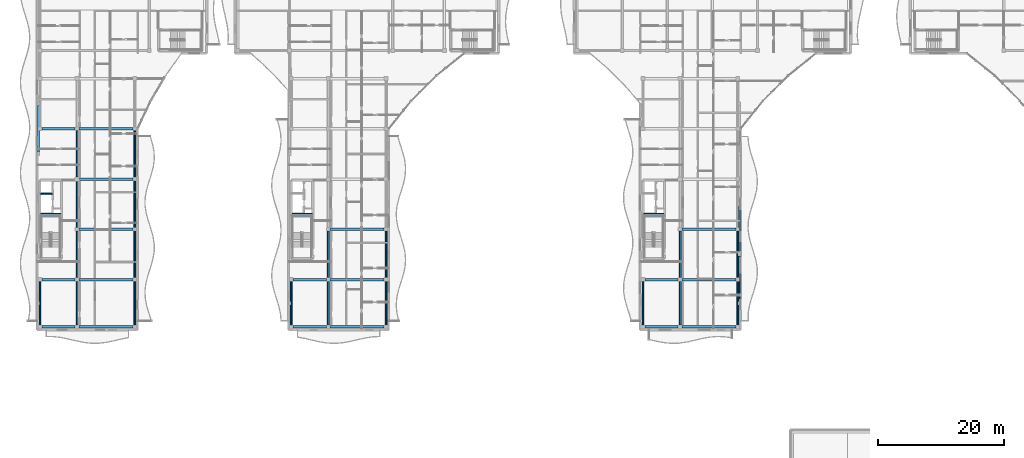
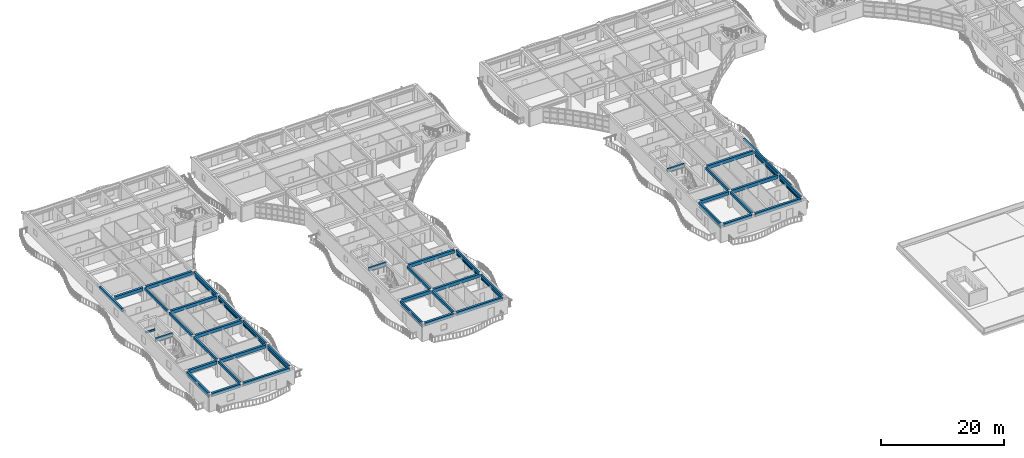
# One storey, part 5 of 79: 44 beams, 22 members.
"""IFC4 building model written with IfcOpenShell, lengths in metres."""

from ifc_helpers import new_model, si_unit, direction, frame, origin, origin_2d, place, context, subcontext, project, spatial, rectangle, hollow_rectangle, extrude, material, material_profile, profile_set, type_object, element, save


model = new_model("IFC4")

# Units and contexts
model_context = context("Model", 3, precision=1e-05, world=origin(), true_north=direction((0.0, 1.0)))
body_context = subcontext(model_context, "Body", "Model", "MODEL_VIEW")
ifc_project = project(units=[si_unit("LENGTHUNIT", "METRE"), si_unit("AREAUNIT", "SQUARE_METRE"), si_unit("VOLUMEUNIT", "CUBIC_METRE"), si_unit("PLANEANGLEUNIT", "RADIAN"), si_unit("MASSUNIT", "GRAM", prefix="KILO")], contexts=[model_context])

# Site, building, storey
site_placement = place(None, origin())
site = spatial("IfcSite", under=ifc_project, at=site_placement, CompositionType="ELEMENT")
building_placement = place(site_placement, origin())
building = spatial("IfcBuilding", under=site, at=building_placement, Name="Keldmere Railside Commons", CompositionType="ELEMENT")
storey_placement = place(building_placement, frame((0.0, 0.0, 10.56005859375)))
storey = spatial("IfcBuildingStorey", under=building, at=storey_placement, Name="L03", CompositionType="ELEMENT", Elevation=10.56005859375)

# Members
ifc_material_1 = material(Name="Steel F-36 (S355)", Category="steel")
ifc_material_profile_1 = material_profile(ifc_material_1, hollow_rectangle(XDim=0.14990234375, YDim=0.25, WallThickness=0.010009765625, at=origin_2d()), Name="RHS-250x150x10")
ifc_profile_set_1 = profile_set([ifc_material_profile_1], Name="Steel F-36 (S355)")
member_type_1 = type_object("IfcMemberType", Name="Balcony Continuous Planted Trough RHS250x150", PredefinedType="CHORD", material=ifc_profile_set_1)
for number, where, z_axis, x_axis, name in (
    (1, (8.449951171875, 56.75, 2.4150390625), (0.0, 1.0, 0.0), (-1.0, 0.0, 0.0), "PLT-1 MEM-BPLT-0335"),
    (2, (23.550048828125, 56.75, 2.4150390625), (0.0, 1.0, 0.0), (-1.0, 0.0, 0.0), "PLT-1 MEM-BPLT-0345"),
):
    element("IfcMember", number, at=place(storey_placement, frame(where, z_axis=z_axis, x_axis=x_axis)), inside=storey, type_object=member_type_1, Name=name, PredefinedType="CHORD", context=body_context, shape_type="SweptSolid", body=[
        extrude(hollow_rectangle(XDim=0.14990234375, YDim=0.25, WallThickness=0.010009765625, at=origin_2d()), origin(), (0.0, 0.0, 1.0), 6.949951171875),
    ])
for number, where, z_axis, x_axis, name in (
    (3, (23.550048828125, 64.300048828125, 2.4150390625), (0.0, 1.0, 0.0), (-1.0, 0.0, 0.0), "PLT-1 MEM-BPLT-0347"),
    (4, (23.550048828125, 72.300048828125, 2.4150390625), (0.0, 1.0, 0.0), (-1.0, 0.0, 0.0), "PLT-1 MEM-BPLT-0349"),
    (5, (23.550048828125, 80.300048828125, 2.4150390625), (0.0, 1.0, 0.0), (-1.0, 0.0, 0.0), "PLT-1 MEM-BPLT-0351"),
):
    element("IfcMember", number, at=place(storey_placement, frame(where, z_axis=z_axis, x_axis=x_axis)), inside=storey, type_object=member_type_1, Name=name, PredefinedType="CHORD", context=body_context, shape_type="SweptSolid", body=[
        extrude(hollow_rectangle(XDim=0.14990234375, YDim=0.25, WallThickness=0.010009765625, at=origin_2d()), origin(), (0.0, 0.0, 1.0), 7.39990234375),
    ])
for number, where, z_axis, x_axis, name in (
    (6, (48.449951171875, 56.75, 2.4150390625), (0.0, 1.0, 0.0), (-1.0, 0.0, 0.0), "PLT-1 MEM-BPLT-0369"),
    (7, (63.550048828125, 56.75, 2.4150390625), (0.0, 1.0, 0.0), (-1.0, 0.0, 0.0), "PLT-1 MEM-BPLT-0379"),
):
    element("IfcMember", number, at=place(storey_placement, frame(where, z_axis=z_axis, x_axis=x_axis)), inside=storey, type_object=member_type_1, Name=name, PredefinedType="CHORD", context=body_context, shape_type="SweptSolid", body=[
        extrude(hollow_rectangle(XDim=0.14990234375, YDim=0.25, WallThickness=0.010009765625, at=origin_2d()), origin(), (0.0, 0.0, 1.0), 6.949951171875),
    ])
member_1_placement = place(storey_placement, frame((63.550048828125, 64.300048828125, 2.4150390625), z_axis=(0.0, 1.0, 0.0), x_axis=(-1.0, 0.0, 0.0)))
element("IfcMember", 8, at=member_1_placement, inside=storey, type_object=member_type_1, Name="PLT-1 MEM-BPLT-0381", PredefinedType="CHORD", context=body_context, shape_type="SweptSolid", body=[
    extrude(hollow_rectangle(XDim=0.14990234375, YDim=0.25, WallThickness=0.010009765625, at=origin_2d()), origin(), (0.0, 0.0, 1.0), 7.39990234375),
])
for number, where, z_axis, x_axis, name in (
    (9, (104.449951171875, 56.75, 2.4150390625), (0.0, 1.0, 0.0), (-1.0, 0.0, 0.0), "PLT-1 MEM-BPLT-0403"),
    (10, (119.550048828125, 56.75, 2.4150390625), (0.0, 1.0, 0.0), (-1.0, 0.0, 0.0), "PLT-1 MEM-BPLT-0407"),
):
    element("IfcMember", number, at=place(storey_placement, frame(where, z_axis=z_axis, x_axis=x_axis)), inside=storey, type_object=member_type_1, Name=name, PredefinedType="CHORD", context=body_context, shape_type="SweptSolid", body=[
        extrude(hollow_rectangle(XDim=0.14990234375, YDim=0.25, WallThickness=0.010009765625, at=origin_2d()), origin(), (0.0, 0.0, 1.0), 6.949951171875),
    ])
member_2_placement = place(storey_placement, frame((119.550048828125, 64.300048828125, 2.4150390625), z_axis=(0.0, 1.0, 0.0), x_axis=(-1.0, 0.0, 0.0)))
element("IfcMember", 11, at=member_2_placement, inside=storey, type_object=member_type_1, Name="PLT-1 MEM-BPLT-0409", PredefinedType="CHORD", context=body_context, shape_type="SweptSolid", body=[
    extrude(hollow_rectangle(XDim=0.14990234375, YDim=0.25, WallThickness=0.010009765625, at=origin_2d()), origin(), (0.0, 0.0, 1.0), 7.39990234375),
])

# Beams
ifc_material_2 = material(Name="Concrete H-35 (C35/45)", Category="concrete")
ifc_material_profile_2 = material_profile(ifc_material_2, rectangle(XDim=0.300048828125, YDim=0.64990234375, at=origin_2d()), Name="RC-300x650")
ifc_profile_set_2 = profile_set([ifc_material_profile_2], Name="Concrete H-35 (C35/45)")
beam_type_1 = type_object("IfcBeamType", Name="Core Coupling RC Beam 300x650", PredefinedType="BEAM", material=ifc_profile_set_2)
for number, where, z_axis, x_axis, name in (
    (12, (8.590087890625, 74.39990234375, 2.875), (1.0, 0.0, 0.0), (0.0, 1.0, 0.0), "CB-1 BM-L03-2545"),
    (13, (48.590087890625, 74.39990234375, 2.875), (1.0, 0.0, 0.0), (0.0, 1.0, 0.0), "CB-1 BM-L03-2553"),
    (14, (104.590087890625, 74.39990234375, 2.875), (1.0, 0.0, 0.0), (0.0, 1.0, 0.0), "CB-1 BM-L03-2561"),
):
    element("IfcBeam", number, at=place(storey_placement, frame(where, z_axis=z_axis, x_axis=x_axis)), inside=storey, type_object=beam_type_1, Name=name, PredefinedType="BEAM", context=body_context, shape_type="SweptSolid", body=[
        extrude(rectangle(XDim=0.300048828125, YDim=0.64990234375, at=origin_2d()), origin(), (0.0, 0.0, 1.0), 3.18994140625),
    ])
ifc_material_3 = material(Name="Concrete H-30 (C30/37)", Category="concrete")
ifc_material_profile_3 = material_profile(ifc_material_3, rectangle(XDim=0.25, YDim=0.35009765625, at=origin_2d()), Name="RC-250x350")
ifc_profile_set_3 = profile_set([ifc_material_profile_3], Name="Concrete H-30 (C30/37)")
beam_type_2 = type_object("IfcBeamType", Name="Masonry Opening RC Lintel 250x350", PredefinedType="LINTEL", material=ifc_profile_set_3)
beam_1_placement = place(storey_placement, frame((8.590087890625, 77.60009765625, 2.425048828125), z_axis=(1.0, 0.0, 0.0), x_axis=(0.0, 1.0, 0.0)))
element("IfcBeam", 15, at=beam_1_placement, inside=storey, type_object=beam_type_2, Name="LNT-1 BM-L03-2546", PredefinedType="LINTEL", context=body_context, shape_type="SweptSolid", body=[
    extrude(rectangle(XDim=0.25, YDim=0.35009765625, at=origin_2d()), origin(), (0.0, 0.0, 1.0), 1.809814453125),
])
ifc_material_profile_4 = material_profile(ifc_material_3, rectangle(XDim=0.35009765625, YDim=0.60009765625, at=origin_2d()), Name="RC-350x600")
ifc_profile_set_4 = profile_set([ifc_material_profile_4], Name="Concrete H-30 (C30/37)")
beam_type_3 = type_object("IfcBeamType", Name="Residential Chord RC Beam 350x600", PredefinedType="BEAM", material=ifc_profile_set_4)
beam_2_placement = place(storey_placement, frame((8.219970703125, 84.27490234375, 2.89990234375), z_axis=(0.0, 1.0, 0.0), x_axis=(-1.0, 0.0, 0.0)))
element("IfcBeam", 16, at=beam_2_placement, inside=storey, type_object=beam_type_3, Name="BG-4 BM-L03-1417", PredefinedType="BEAM", context=body_context, shape_type="SweptSolid", body=[
    extrude(rectangle(XDim=0.35009765625, YDim=0.60009765625, at=origin_2d()), origin(), (0.0, 0.0, 1.0), 7.4501953125),
])
beam_3_placement = place(storey_placement, frame((8.449951171875, 56.75, 2.89990234375), z_axis=(0.0, 1.0, 0.0), x_axis=(-1.0, 0.0, 0.0)))
element("IfcBeam", 17, at=beam_3_placement, inside=storey, type_object=beam_type_3, Name="BG-4 BM-L03-1418", PredefinedType="BEAM", context=body_context, shape_type="SweptSolid", body=[
    extrude(rectangle(XDim=0.35009765625, YDim=0.60009765625, at=origin_2d()), origin(), (0.0, 0.0, 1.0), 6.949951171875),
])
ifc_material_profile_5 = material_profile(ifc_material_3, rectangle(XDim=0.39990234375, YDim=0.64990234375, at=origin_2d()), Name="RC-400x650")
ifc_profile_set_5 = profile_set([ifc_material_profile_5], Name="Concrete H-30 (C30/37)")
beam_type_4 = type_object("IfcBeamType", Name="Residential Spine RC Girder 400x650", PredefinedType="BEAM", material=ifc_profile_set_5)
beam_4_placement = place(storey_placement, frame((8.75, 56.449951171875, 2.875), z_axis=(1.0, 0.0, 0.0), x_axis=(0.0, 1.0, 0.0)))
element("IfcBeam", 18, at=beam_4_placement, inside=storey, type_object=beam_type_4, Name="BG-3 BM-L03-1329", PredefinedType="BEAM", context=body_context, shape_type="SweptSolid", body=[
    extrude(rectangle(XDim=0.39990234375, YDim=0.64990234375, at=origin_2d()), origin(), (0.0, 0.0, 1.0), 5.300048828125),
])
beam_5_placement = place(storey_placement, frame((14.64990234375, 56.449951171875, 2.875), z_axis=(1.0, 0.0, 0.0), x_axis=(0.0, 1.0, 0.0)))
element("IfcBeam", 19, at=beam_5_placement, inside=storey, type_object=beam_type_4, Name="BG-3 BM-L03-1330", PredefinedType="BEAM", context=body_context, shape_type="SweptSolid", body=[
    extrude(rectangle(XDim=0.39990234375, YDim=0.64990234375, at=origin_2d()), origin(), (0.0, 0.0, 1.0), 8.60009765625),
])
beam_6_placement = place(storey_placement, frame((48.75, 56.449951171875, 2.875), z_axis=(1.0, 0.0, 0.0), x_axis=(0.0, 1.0, 0.0)))
element("IfcBeam", 20, at=beam_6_placement, inside=storey, type_object=beam_type_4, Name="BG-3 BM-L03-1331", PredefinedType="BEAM", context=body_context, shape_type="SweptSolid", body=[
    extrude(rectangle(XDim=0.39990234375, YDim=0.64990234375, at=origin_2d()), origin(), (0.0, 0.0, 1.0), 5.300048828125),
])
beam_7_placement = place(storey_placement, frame((54.64990234375, 56.449951171875, 2.875), z_axis=(1.0, 0.0, 0.0), x_axis=(0.0, 1.0, 0.0)))
element("IfcBeam", 21, at=beam_7_placement, inside=storey, type_object=beam_type_4, Name="BG-3 BM-L03-1332", PredefinedType="BEAM", context=body_context, shape_type="SweptSolid", body=[
    extrude(rectangle(XDim=0.39990234375, YDim=0.64990234375, at=origin_2d()), origin(), (0.0, 0.0, 1.0), 8.60009765625),
])
beam_8_placement = place(storey_placement, frame((104.75, 56.449951171875, 2.875), z_axis=(1.0, 0.0, 0.0), x_axis=(0.0, 1.0, 0.0)))
element("IfcBeam", 22, at=beam_8_placement, inside=storey, type_object=beam_type_4, Name="BG-3 BM-L03-1333", PredefinedType="BEAM", context=body_context, shape_type="SweptSolid", body=[
    extrude(rectangle(XDim=0.39990234375, YDim=0.64990234375, at=origin_2d()), origin(), (0.0, 0.0, 1.0), 5.300048828125),
])
beam_9_placement = place(storey_placement, frame((110.64990234375, 56.449951171875, 2.875), z_axis=(1.0, 0.0, 0.0), x_axis=(0.0, 1.0, 0.0)))
element("IfcBeam", 23, at=beam_9_placement, inside=storey, type_object=beam_type_4, Name="BG-3 BM-L03-1334", PredefinedType="BEAM", context=body_context, shape_type="SweptSolid", body=[
    extrude(rectangle(XDim=0.39990234375, YDim=0.64990234375, at=origin_2d()), origin(), (0.0, 0.0, 1.0), 8.60009765625),
])
beam_10_placement = place(storey_placement, frame((8.75, 64.0, 2.875), z_axis=(1.0, 0.0, 0.0), x_axis=(0.0, 1.0, 0.0)))
element("IfcBeam", 24, at=beam_10_placement, inside=storey, type_object=beam_type_4, Name="BG-3 BM-L03-1337", PredefinedType="BEAM", context=body_context, shape_type="SweptSolid", body=[
    extrude(rectangle(XDim=0.39990234375, YDim=0.64990234375, at=origin_2d()), origin(), (0.0, 0.0, 1.0), 5.300048828125),
])
beam_11_placement = place(storey_placement, frame((14.64990234375, 64.0, 2.875), z_axis=(1.0, 0.0, 0.0), x_axis=(0.0, 1.0, 0.0)))
element("IfcBeam", 25, at=beam_11_placement, inside=storey, type_object=beam_type_4, Name="BG-3 BM-L03-1338", PredefinedType="BEAM", context=body_context, shape_type="SweptSolid", body=[
    extrude(rectangle(XDim=0.39990234375, YDim=0.64990234375, at=origin_2d()), origin(), (0.0, 0.0, 1.0), 8.60009765625),
])
beam_12_placement = place(storey_placement, frame((48.75, 64.0, 2.875), z_axis=(1.0, 0.0, 0.0), x_axis=(0.0, 1.0, 0.0)))
element("IfcBeam", 26, at=beam_12_placement, inside=storey, type_object=beam_type_4, Name="BG-3 BM-L03-1339", PredefinedType="BEAM", context=body_context, shape_type="SweptSolid", body=[
    extrude(rectangle(XDim=0.39990234375, YDim=0.64990234375, at=origin_2d()), origin(), (0.0, 0.0, 1.0), 5.300048828125),
])
beam_13_placement = place(storey_placement, frame((54.64990234375, 64.0, 2.875), z_axis=(1.0, 0.0, 0.0), x_axis=(0.0, 1.0, 0.0)))
element("IfcBeam", 27, at=beam_13_placement, inside=storey, type_object=beam_type_4, Name="BG-3 BM-L03-1340", PredefinedType="BEAM", context=body_context, shape_type="SweptSolid", body=[
    extrude(rectangle(XDim=0.39990234375, YDim=0.64990234375, at=origin_2d()), origin(), (0.0, 0.0, 1.0), 8.60009765625),
])
beam_14_placement = place(storey_placement, frame((104.75, 64.0, 2.875), z_axis=(1.0, 0.0, 0.0), x_axis=(0.0, 1.0, 0.0)))
element("IfcBeam", 28, at=beam_14_placement, inside=storey, type_object=beam_type_4, Name="BG-3 BM-L03-1341", PredefinedType="BEAM", context=body_context, shape_type="SweptSolid", body=[
    extrude(rectangle(XDim=0.39990234375, YDim=0.64990234375, at=origin_2d()), origin(), (0.0, 0.0, 1.0), 5.300048828125),
])
for number, where, z_axis, x_axis, name in (
    (29, (110.64990234375, 64.0, 2.875), (1.0, 0.0, 0.0), (0.0, 1.0, 0.0), "BG-3 BM-L03-1342"),
    (30, (14.64990234375, 72.0, 2.875), (1.0, 0.0, 0.0), (0.0, 1.0, 0.0), "BG-3 BM-L03-1345"),
    (31, (54.64990234375, 72.0, 2.875), (1.0, 0.0, 0.0), (0.0, 1.0, 0.0), "BG-3 BM-L03-1346"),
    (32, (110.64990234375, 72.0, 2.875), (1.0, 0.0, 0.0), (0.0, 1.0, 0.0), "BG-3 BM-L03-1347"),
    (33, (14.64990234375, 80.0, 2.875), (1.0, 0.0, 0.0), (0.0, 1.0, 0.0), "BG-3 BM-L03-1349"),
):
    element("IfcBeam", number, at=place(storey_placement, frame(where, z_axis=z_axis, x_axis=x_axis)), inside=storey, type_object=beam_type_4, Name=name, PredefinedType="BEAM", context=body_context, shape_type="SweptSolid", body=[
        extrude(rectangle(XDim=0.39990234375, YDim=0.64990234375, at=origin_2d()), origin(), (0.0, 0.0, 1.0), 8.60009765625),
    ])
beam_15_placement = place(storey_placement, frame((8.75, 88.0, 2.875), z_axis=(1.0, 0.0, 0.0), x_axis=(0.0, 1.0, 0.0)))
element("IfcBeam", 34, at=beam_15_placement, inside=storey, type_object=beam_type_4, Name="BG-3 BM-L03-1353", PredefinedType="BEAM", context=body_context, shape_type="SweptSolid", body=[
    extrude(rectangle(XDim=0.39990234375, YDim=0.64990234375, at=origin_2d()), origin(), (0.0, 0.0, 1.0), 5.300048828125),
])
beam_16_placement = place(storey_placement, frame((14.64990234375, 88.0, 2.875), z_axis=(1.0, 0.0, 0.0), x_axis=(0.0, 1.0, 0.0)))
element("IfcBeam", 35, at=beam_16_placement, inside=storey, type_object=beam_type_4, Name="BG-3 BM-L03-1354", PredefinedType="BEAM", context=body_context, shape_type="SweptSolid", body=[
    extrude(rectangle(XDim=0.39990234375, YDim=0.64990234375, at=origin_2d()), origin(), (0.0, 0.0, 1.0), 8.60009765625),
])
ifc_material_profile_6 = material_profile(ifc_material_3, rectangle(XDim=0.300048828125, YDim=0.5, at=origin_2d()), Name="RC-300x500")
ifc_profile_set_6 = profile_set([ifc_material_profile_6], Name="Concrete H-30 (C30/37)")
beam_type_5 = type_object("IfcBeamType", Name="Secondary Frame RC Beam 300x500", PredefinedType="BEAM", material=ifc_profile_set_6)
beam_17_placement = place(storey_placement, frame((14.35009765625, 56.75, 2.949951171875), z_axis=(0.0, 1.0, 0.0), x_axis=(-1.0, 0.0, 0.0)))
element("IfcBeam", 36, at=beam_17_placement, inside=storey, type_object=beam_type_5, Name="BG-5 BM-L03-1423", PredefinedType="BEAM", context=body_context, shape_type="SweptSolid", body=[
    extrude(rectangle(XDim=0.300048828125, YDim=0.5, at=origin_2d()), origin(), (0.0, 0.0, 1.0), 6.949951171875),
])
for number, where, z_axis, x_axis, name in (
    (37, (14.35009765625, 64.300048828125, 2.949951171875), (0.0, 1.0, 0.0), (-1.0, 0.0, 0.0), "BG-5 BM-L03-1424"),
    (38, (14.35009765625, 72.300048828125, 2.949951171875), (0.0, 1.0, 0.0), (-1.0, 0.0, 0.0), "BG-5 BM-L03-1425"),
    (39, (14.35009765625, 80.300048828125, 2.949951171875), (0.0, 1.0, 0.0), (-1.0, 0.0, 0.0), "BG-5 BM-L03-1426"),
):
    element("IfcBeam", number, at=place(storey_placement, frame(where, z_axis=z_axis, x_axis=x_axis)), inside=storey, type_object=beam_type_5, Name=name, PredefinedType="BEAM", context=body_context, shape_type="SweptSolid", body=[
        extrude(rectangle(XDim=0.300048828125, YDim=0.5, at=origin_2d()), origin(), (0.0, 0.0, 1.0), 7.39990234375),
    ])
beam_18_placement = place(storey_placement, frame((23.550048828125, 56.75, 2.949951171875), z_axis=(0.0, 1.0, 0.0), x_axis=(-1.0, 0.0, 0.0)))
element("IfcBeam", 40, at=beam_18_placement, inside=storey, type_object=beam_type_5, Name="BG-5 BM-L03-1429", PredefinedType="BEAM", context=body_context, shape_type="SweptSolid", body=[
    extrude(rectangle(XDim=0.300048828125, YDim=0.5, at=origin_2d()), origin(), (0.0, 0.0, 1.0), 6.949951171875),
])
for number, where, z_axis, x_axis, name in (
    (41, (23.550048828125, 64.300048828125, 2.949951171875), (0.0, 1.0, 0.0), (-1.0, 0.0, 0.0), "BG-5 BM-L03-1430"),
    (42, (23.550048828125, 72.300048828125, 2.949951171875), (0.0, 1.0, 0.0), (-1.0, 0.0, 0.0), "BG-5 BM-L03-1431"),
    (43, (23.550048828125, 80.300048828125, 2.949951171875), (0.0, 1.0, 0.0), (-1.0, 0.0, 0.0), "BG-5 BM-L03-1432"),
):
    element("IfcBeam", number, at=place(storey_placement, frame(where, z_axis=z_axis, x_axis=x_axis)), inside=storey, type_object=beam_type_5, Name=name, PredefinedType="BEAM", context=body_context, shape_type="SweptSolid", body=[
        extrude(rectangle(XDim=0.300048828125, YDim=0.5, at=origin_2d()), origin(), (0.0, 0.0, 1.0), 7.39990234375),
    ])
for number, where, z_axis, x_axis, name in (
    (44, (48.449951171875, 56.75, 2.949951171875), (0.0, 1.0, 0.0), (-1.0, 0.0, 0.0), "BG-5 BM-L03-1443"),
    (45, (54.35009765625, 56.75, 2.949951171875), (0.0, 1.0, 0.0), (-1.0, 0.0, 0.0), "BG-5 BM-L03-1445"),
):
    element("IfcBeam", number, at=place(storey_placement, frame(where, z_axis=z_axis, x_axis=x_axis)), inside=storey, type_object=beam_type_5, Name=name, PredefinedType="BEAM", context=body_context, shape_type="SweptSolid", body=[
        extrude(rectangle(XDim=0.300048828125, YDim=0.5, at=origin_2d()), origin(), (0.0, 0.0, 1.0), 6.949951171875),
    ])
beam_19_placement = place(storey_placement, frame((54.35009765625, 64.300048828125, 2.949951171875), z_axis=(0.0, 1.0, 0.0), x_axis=(-1.0, 0.0, 0.0)))
element("IfcBeam", 46, at=beam_19_placement, inside=storey, type_object=beam_type_5, Name="BG-5 BM-L03-1446", PredefinedType="BEAM", context=body_context, shape_type="SweptSolid", body=[
    extrude(rectangle(XDim=0.300048828125, YDim=0.5, at=origin_2d()), origin(), (0.0, 0.0, 1.0), 7.39990234375),
])
beam_20_placement = place(storey_placement, frame((63.550048828125, 56.75, 2.949951171875), z_axis=(0.0, 1.0, 0.0), x_axis=(-1.0, 0.0, 0.0)))
element("IfcBeam", 47, at=beam_20_placement, inside=storey, type_object=beam_type_5, Name="BG-5 BM-L03-1451", PredefinedType="BEAM", context=body_context, shape_type="SweptSolid", body=[
    extrude(rectangle(XDim=0.300048828125, YDim=0.5, at=origin_2d()), origin(), (0.0, 0.0, 1.0), 6.949951171875),
])
beam_21_placement = place(storey_placement, frame((63.550048828125, 64.300048828125, 2.949951171875), z_axis=(0.0, 1.0, 0.0), x_axis=(-1.0, 0.0, 0.0)))
element("IfcBeam", 48, at=beam_21_placement, inside=storey, type_object=beam_type_5, Name="BG-5 BM-L03-1452", PredefinedType="BEAM", context=body_context, shape_type="SweptSolid", body=[
    extrude(rectangle(XDim=0.300048828125, YDim=0.5, at=origin_2d()), origin(), (0.0, 0.0, 1.0), 7.39990234375),
])
for number, where, z_axis, x_axis, name in (
    (49, (104.449951171875, 56.75, 2.949951171875), (0.0, 1.0, 0.0), (-1.0, 0.0, 0.0), "BG-5 BM-L03-1465"),
    (50, (110.35009765625, 56.75, 2.949951171875), (0.0, 1.0, 0.0), (-1.0, 0.0, 0.0), "BG-5 BM-L03-1469"),
):
    element("IfcBeam", number, at=place(storey_placement, frame(where, z_axis=z_axis, x_axis=x_axis)), inside=storey, type_object=beam_type_5, Name=name, PredefinedType="BEAM", context=body_context, shape_type="SweptSolid", body=[
        extrude(rectangle(XDim=0.300048828125, YDim=0.5, at=origin_2d()), origin(), (0.0, 0.0, 1.0), 6.949951171875),
    ])
beam_22_placement = place(storey_placement, frame((110.35009765625, 64.300048828125, 2.949951171875), z_axis=(0.0, 1.0, 0.0), x_axis=(-1.0, 0.0, 0.0)))
element("IfcBeam", 51, at=beam_22_placement, inside=storey, type_object=beam_type_5, Name="BG-5 BM-L03-1470", PredefinedType="BEAM", context=body_context, shape_type="SweptSolid", body=[
    extrude(rectangle(XDim=0.300048828125, YDim=0.5, at=origin_2d()), origin(), (0.0, 0.0, 1.0), 7.39990234375),
])
beam_23_placement = place(storey_placement, frame((119.550048828125, 56.75, 2.949951171875), z_axis=(0.0, 1.0, 0.0), x_axis=(-1.0, 0.0, 0.0)))
element("IfcBeam", 52, at=beam_23_placement, inside=storey, type_object=beam_type_5, Name="BG-5 BM-L03-1476", PredefinedType="BEAM", context=body_context, shape_type="SweptSolid", body=[
    extrude(rectangle(XDim=0.300048828125, YDim=0.5, at=origin_2d()), origin(), (0.0, 0.0, 1.0), 6.949951171875),
])
beam_24_placement = place(storey_placement, frame((119.550048828125, 64.300048828125, 2.949951171875), z_axis=(0.0, 1.0, 0.0), x_axis=(-1.0, 0.0, 0.0)))
element("IfcBeam", 53, at=beam_24_placement, inside=storey, type_object=beam_type_5, Name="BG-5 BM-L03-1477", PredefinedType="BEAM", context=body_context, shape_type="SweptSolid", body=[
    extrude(rectangle(XDim=0.300048828125, YDim=0.5, at=origin_2d()), origin(), (0.0, 0.0, 1.0), 7.39990234375),
])
beam_25_placement = place(storey_placement, frame((119.780029296875, 60.47509765625, 2.949951171875), z_axis=(0.0, 1.0, 0.0), x_axis=(-1.0, 0.0, 0.0)))
element("IfcBeam", 54, at=beam_25_placement, inside=storey, type_object=beam_type_5, Name="BG-5 BM-L03-1481", PredefinedType="BEAM", context=body_context, shape_type="SweptSolid", body=[
    extrude(rectangle(XDim=0.300048828125, YDim=0.5, at=origin_2d()), origin(), (0.0, 0.0, 1.0), 7.25),
])
beam_26_placement = place(storey_placement, frame((119.780029296875, 68.27490234375, 2.949951171875), z_axis=(0.0, 1.0, 0.0), x_axis=(-1.0, 0.0, 0.0)))
element("IfcBeam", 55, at=beam_26_placement, inside=storey, type_object=beam_type_5, Name="BG-5 BM-L03-1482", PredefinedType="BEAM", context=body_context, shape_type="SweptSolid", body=[
    extrude(rectangle(XDim=0.300048828125, YDim=0.5, at=origin_2d()), origin(), (0.0, 0.0, 1.0), 7.4501953125),
])

# Members
ifc_material_profile_7 = material_profile(ifc_material_1, hollow_rectangle(XDim=0.10009765625, YDim=0.159912109375, WallThickness=0.008056640625, at=origin_2d()), Name="RHS-160x100x8")
ifc_profile_set_7 = profile_set([ifc_material_profile_7], Name="Steel F-36 (S355)")
member_type_2 = type_object("IfcMemberType", Name="Solar Brise-Soleil Louvre Fin RHS160x100", PredefinedType="STRUT", material=ifc_profile_set_7)
for number, where, z_axis, x_axis, name in (
    (56, (8.449951171875, 56.75, 2.199951171875), (0.0, 1.0, 0.0), (-1.0, 0.0, 0.0), "BSF-1 MEM-BSF-0336"),
    (57, (23.550048828125, 56.75, 2.199951171875), (0.0, 1.0, 0.0), (-1.0, 0.0, 0.0), "BSF-1 MEM-BSF-0346"),
):
    element("IfcMember", number, at=place(storey_placement, frame(where, z_axis=z_axis, x_axis=x_axis)), inside=storey, type_object=member_type_2, Name=name, PredefinedType="STRUT", context=body_context, shape_type="SweptSolid", body=[
        extrude(hollow_rectangle(XDim=0.10009765625, YDim=0.159912109375, WallThickness=0.008056640625, at=origin_2d()), origin(), (0.0, 0.0, 1.0), 6.949951171875),
    ])
for number, where, z_axis, x_axis, name in (
    (58, (23.550048828125, 64.300048828125, 2.199951171875), (0.0, 1.0, 0.0), (-1.0, 0.0, 0.0), "BSF-1 MEM-BSF-0348"),
    (59, (23.550048828125, 72.300048828125, 2.199951171875), (0.0, 1.0, 0.0), (-1.0, 0.0, 0.0), "BSF-1 MEM-BSF-0350"),
    (60, (23.550048828125, 80.300048828125, 2.199951171875), (0.0, 1.0, 0.0), (-1.0, 0.0, 0.0), "BSF-1 MEM-BSF-0352"),
):
    element("IfcMember", number, at=place(storey_placement, frame(where, z_axis=z_axis, x_axis=x_axis)), inside=storey, type_object=member_type_2, Name=name, PredefinedType="STRUT", context=body_context, shape_type="SweptSolid", body=[
        extrude(hollow_rectangle(XDim=0.10009765625, YDim=0.159912109375, WallThickness=0.008056640625, at=origin_2d()), origin(), (0.0, 0.0, 1.0), 7.39990234375),
    ])
for number, where, z_axis, x_axis, name in (
    (61, (48.449951171875, 56.75, 2.199951171875), (0.0, 1.0, 0.0), (-1.0, 0.0, 0.0), "BSF-1 MEM-BSF-0370"),
    (62, (63.550048828125, 56.75, 2.199951171875), (0.0, 1.0, 0.0), (-1.0, 0.0, 0.0), "BSF-1 MEM-BSF-0380"),
):
    element("IfcMember", number, at=place(storey_placement, frame(where, z_axis=z_axis, x_axis=x_axis)), inside=storey, type_object=member_type_2, Name=name, PredefinedType="STRUT", context=body_context, shape_type="SweptSolid", body=[
        extrude(hollow_rectangle(XDim=0.10009765625, YDim=0.159912109375, WallThickness=0.008056640625, at=origin_2d()), origin(), (0.0, 0.0, 1.0), 6.949951171875),
    ])
member_3_placement = place(storey_placement, frame((63.550048828125, 64.300048828125, 2.199951171875), z_axis=(0.0, 1.0, 0.0), x_axis=(-1.0, 0.0, 0.0)))
element("IfcMember", 63, at=member_3_placement, inside=storey, type_object=member_type_2, Name="BSF-1 MEM-BSF-0382", PredefinedType="STRUT", context=body_context, shape_type="SweptSolid", body=[
    extrude(hollow_rectangle(XDim=0.10009765625, YDim=0.159912109375, WallThickness=0.008056640625, at=origin_2d()), origin(), (0.0, 0.0, 1.0), 7.39990234375),
])
for number, where, z_axis, x_axis, name in (
    (64, (104.449951171875, 56.75, 2.199951171875), (0.0, 1.0, 0.0), (-1.0, 0.0, 0.0), "BSF-1 MEM-BSF-0404"),
    (65, (119.550048828125, 56.75, 2.199951171875), (0.0, 1.0, 0.0), (-1.0, 0.0, 0.0), "BSF-1 MEM-BSF-0408"),
):
    element("IfcMember", number, at=place(storey_placement, frame(where, z_axis=z_axis, x_axis=x_axis)), inside=storey, type_object=member_type_2, Name=name, PredefinedType="STRUT", context=body_context, shape_type="SweptSolid", body=[
        extrude(hollow_rectangle(XDim=0.10009765625, YDim=0.159912109375, WallThickness=0.008056640625, at=origin_2d()), origin(), (0.0, 0.0, 1.0), 6.949951171875),
    ])
member_4_placement = place(storey_placement, frame((119.550048828125, 64.300048828125, 2.199951171875), z_axis=(0.0, 1.0, 0.0), x_axis=(-1.0, 0.0, 0.0)))
element("IfcMember", 66, at=member_4_placement, inside=storey, type_object=member_type_2, Name="BSF-1 MEM-BSF-0410", PredefinedType="STRUT", context=body_context, shape_type="SweptSolid", body=[
    extrude(hollow_rectangle(XDim=0.10009765625, YDim=0.159912109375, WallThickness=0.008056640625, at=origin_2d()), origin(), (0.0, 0.0, 1.0), 7.39990234375),
])

save(model, "model.ifc")
